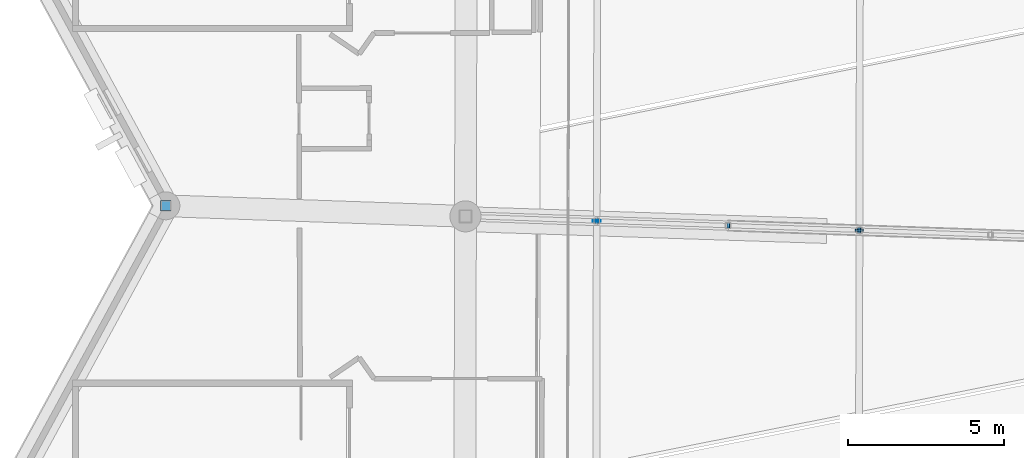
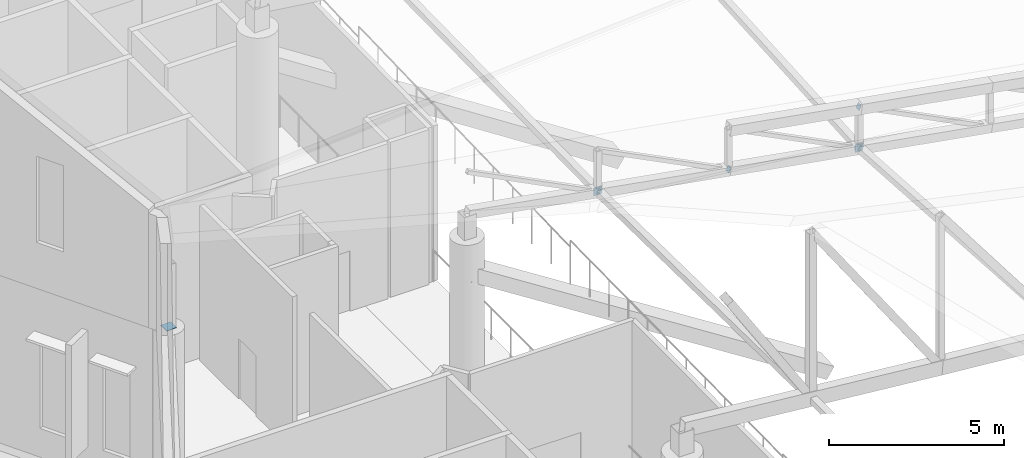
# One storey, part 294 of 344: 9 discrete accessories.
"""IFC4 building model written with IfcOpenShell, lengths in metres."""

from ifc_helpers import new_model, si_unit, direction, frame, origin, origin_2d, place, context, subcontext, project, spatial, rectangle, extrude, material, material_profile, profile_set, type_object, element, save


model = new_model("IFC4")

# Units and contexts
model_context = context("Model", 3, precision=1e-05, world=origin(), true_north=direction((0.0, 1.0)))
body_context = subcontext(model_context, "Body", "Model", "MODEL_VIEW")
ifc_project = project(units=[si_unit("LENGTHUNIT", "METRE"), si_unit("AREAUNIT", "SQUARE_METRE"), si_unit("VOLUMEUNIT", "CUBIC_METRE"), si_unit("PLANEANGLEUNIT", "RADIAN"), si_unit("MASSUNIT", "GRAM", prefix="KILO")], contexts=[model_context])

# Site, building, storey
site_placement = place(None, origin())
site = spatial("IfcSite", under=ifc_project, at=site_placement, CompositionType="ELEMENT")
building_placement = place(site_placement, origin())
building = spatial("IfcBuilding", under=site, at=building_placement, Name="Meseta Stadium", CompositionType="ELEMENT")
storey_placement = place(building_placement, frame((0.0, 0.0, 24.0)))
storey = spatial("IfcBuildingStorey", under=building, at=storey_placement, Name="L04", CompositionType="ELEMENT", Elevation=24.0)

# Discrete accessories
ifc_material_1 = material(Name="Steel S355", Category="steel")
ifc_material_profile_1 = material_profile(ifc_material_1, rectangle(XDim=0.179931640625, YDim=0.179931640625, at=origin_2d()), Name="PL 180x180")
ifc_profile_set_1 = profile_set([ifc_material_profile_1], Name="Steel S355")
discrete_accessory_type_1 = type_object("IfcDiscreteAccessoryType", Name="End plate 180x180x20", PredefinedType="ANCHORPLATE", material=ifc_profile_set_1)
discrete_accessory_1_placement = place(storey_placement, frame((-72.314208984375, 17.964599609375, 6.32861328125), z_axis=(-0.898969631887, 0.024296476537, 0.437336577675), x_axis=(-0.027017161348, -0.999634969873, 0.0)))
element("IfcDiscreteAccessory", 1, at=discrete_accessory_1_placement, inside=storey, type_object=discrete_accessory_type_1, Name="End plate of ROOF TRUSS RT-31 diagonal", PredefinedType="ANCHORPLATE", context=body_context, shape_type="SweptSolid", body=[
    extrude(rectangle(XDim=0.179931640625, YDim=0.179931640625, at=origin_2d()), origin(), (0.0, 0.0, 1.0), 0.02001953125),
])
discrete_accessory_2_placement = place(storey_placement, frame((-72.29638671875, 17.9638671875, 4.891845703125), z_axis=(-0.896262295257, 0.036832697065, 0.441992364784), x_axis=(-0.041061231452, -0.999156632001, 0.0)))
element("IfcDiscreteAccessory", 2, at=discrete_accessory_2_placement, inside=storey, type_object=discrete_accessory_type_1, Name="End plate of ROOF TRUSS RT-31 diagonal", PredefinedType="ANCHORPLATE", context=body_context, shape_type="SweptSolid", body=[
    extrude(rectangle(XDim=0.179931640625, YDim=0.179931640625, at=origin_2d()), origin(), (0.0, 0.0, 1.0), 0.019775390625),
])
discrete_accessory_3_placement = place(storey_placement, frame((-76.515869140625, 18.112548828125, 5.52490234375), z_axis=(-0.898638141175, 0.036431275994, 0.437175311923), x_axis=(-0.040507266643, -0.999179243854, 0.0)))
element("IfcDiscreteAccessory", 3, at=discrete_accessory_3_placement, inside=storey, type_object=discrete_accessory_type_1, Name="End plate of ROOF TRUSS RT-31 diagonal", PredefinedType="ANCHORPLATE", context=body_context, shape_type="SweptSolid", body=[
    extrude(rectangle(XDim=0.179931640625, YDim=0.179931640625, at=origin_2d()), origin(), (0.0, 0.0, 1.0), 0.02001953125),
])
discrete_accessory_4_placement = place(storey_placement, frame((-80.735595703125, 18.261474609375, 6.158203125), z_axis=(-0.896600239651, 0.024564390127, 0.442159022294), x_axis=(-0.027386983732, -0.999624906213, 0.0)))
element("IfcDiscreteAccessory", 4, at=discrete_accessory_4_placement, inside=storey, type_object=discrete_accessory_type_1, Name="End plate of ROOF TRUSS RT-31 diagonal", PredefinedType="ANCHORPLATE", context=body_context, shape_type="SweptSolid", body=[
    extrude(rectangle(XDim=0.179931640625, YDim=0.179931640625, at=origin_2d()), origin(), (0.0, 0.0, 1.0), 0.019775390625),
])
ifc_material_2 = material(Name="Steel S355", Category="steel")
ifc_material_profile_2 = material_profile(ifc_material_2, rectangle(XDim=0.260009765625, YDim=0.260009765625, at=origin_2d()), Name="PL 260x260")
ifc_profile_set_2 = profile_set([ifc_material_profile_2], Name="Steel S355")
discrete_accessory_type_2 = type_object("IfcDiscreteAccessoryType", Name="End plate 260x260x20", PredefinedType="ANCHORPLATE", material=ifc_profile_set_2)
for number, where, z_axis, x_axis, name in (
    (5, (-72.314208984375, 17.964599609375, 4.900634765625), (-0.012171612389, -0.998072215898, -0.060858061945), (0.999925647793, -0.012194215217, 0.0), "End plate of ROOF TRUSS STRUT RT-30/31"),
    (6, (-80.75341796875, 18.261962890625, 6.1669921875), (0.0, -0.999925647793, -0.012194215217), (1.0, 0.0, 0.0), "End plate of ROOF TRUSS STRUT RT-30/31"),
    (7, (-72.314208984375, 17.984619140625, 4.8994140625), (0.0, -0.998146155389, 0.060862570451), (1.0, 0.0, 0.0), "End plate of ROOF TRUSS STRUT RT-31/32"),
    (8, (-80.75341796875, 18.281982421875, 6.16650390625), (0.0, -0.999702690643, 0.024382992455), (1.0, 0.0, 0.0), "End plate of ROOF TRUSS STRUT RT-31/32"),
):
    element("IfcDiscreteAccessory", number, at=place(storey_placement, frame(where, z_axis=z_axis, x_axis=x_axis)), inside=storey, type_object=discrete_accessory_type_2, Name=name, PredefinedType="ANCHORPLATE", context=body_context, shape_type="SweptSolid", body=[
        extrude(rectangle(XDim=0.260009765625, YDim=0.260009765625, at=origin_2d()), origin(), (0.0, 0.0, 1.0), 0.02001953125),
    ])
ifc_material_3 = material(Name="Steel S355", Category="steel")
ifc_material_profile_3 = material_profile(ifc_material_3, rectangle(XDim=0.340087890625, YDim=0.340087890625, at=origin_2d()), Name="PL 340x340")
ifc_profile_set_3 = profile_set([ifc_material_profile_3], Name="Steel S355")
discrete_accessory_type_3 = type_object("IfcDiscreteAccessoryType", Name="End plate 340x340x20", PredefinedType="ANCHORPLATE", material=ifc_profile_set_3)
discrete_accessory_5_placement = place(storey_placement, frame((-94.60009765625, 18.75, 5.97998046875), z_axis=(0.0, 0.0, 1.0), x_axis=(1.0, 0.0, 0.0)))
element("IfcDiscreteAccessory", 9, at=discrete_accessory_5_placement, inside=storey, type_object=discrete_accessory_type_3, Name="End plate of ROOF RIM POST RT-31", PredefinedType="ANCHORPLATE", context=body_context, shape_type="SweptSolid", body=[
    extrude(rectangle(XDim=0.340087890625, YDim=0.340087890625, at=origin_2d()), origin(), (0.0, 0.0, 1.0), 0.02001953125),
])

save(model, "model.ifc")
